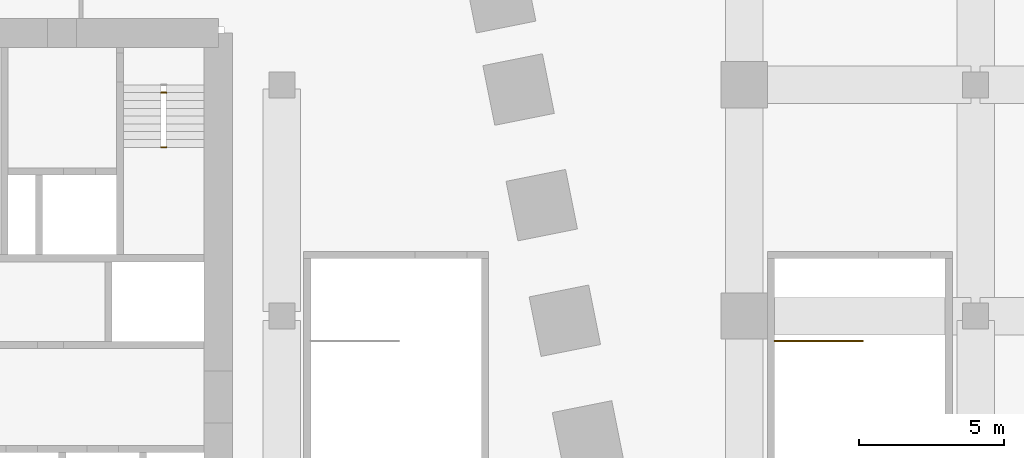
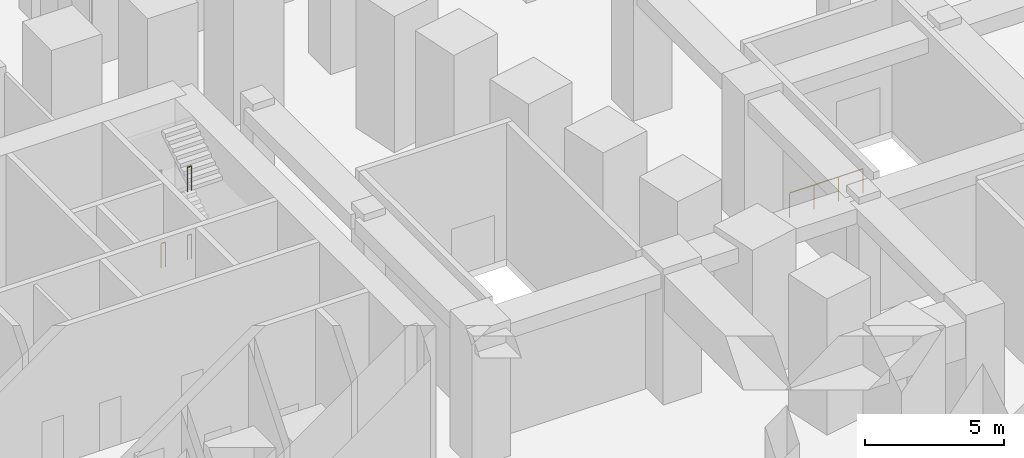
# One storey, part 24 of 28: 4 railings.
"""IFC4 building model written with IfcOpenShell, lengths in metres."""

from ifc_helpers import new_model, si_unit, direction, frame, origin, origin_2d, place, context, subcontext, project, spatial, circle, extrude, material, type_object, element, save


model = new_model("IFC4")

# Units and contexts
model_context = context("Model", 3, precision=1e-05, world=origin(), true_north=direction((0.0, 1.0)))
body_context = subcontext(model_context, "Body", "Model", "MODEL_VIEW")
ifc_project = project(units=[si_unit("LENGTHUNIT", "METRE"), si_unit("AREAUNIT", "SQUARE_METRE"), si_unit("VOLUMEUNIT", "CUBIC_METRE"), si_unit("PLANEANGLEUNIT", "RADIAN"), si_unit("MASSUNIT", "GRAM", prefix="KILO")], contexts=[model_context])

# Site, building, storey
site_placement = place(None, origin())
site = spatial("IfcSite", under=ifc_project, at=site_placement, CompositionType="ELEMENT")
building_placement = place(site_placement, origin())
building = spatial("IfcBuilding", under=site, at=building_placement, Name="Isbrekke Arena Tower", CompositionType="ELEMENT")
storey_placement = place(building_placement, origin())
storey = spatial("IfcBuildingStorey", under=building, at=storey_placement, Name="L00", CompositionType="ELEMENT", Elevation=0.0)

# Railings
ifc_material = material(Name="Steel stair guard, vertical bars, steel handrail", Category="steel")
railing_type = type_object("IfcRailingType", Name="GR3 STAIR WELL GUARD 1100", PredefinedType="GUARDRAIL", material=ifc_material)
for number, where, name in (
    (1, (11.824951171875, 21.72998046875, 0.0), "GR3 stair well guard ST2 L00"),
    (2, (11.824951171875, 19.840087890625, 1.5), "GR3 stair well guard ST2 L00"),
    (3, (11.824951171875, 19.840087890625, 4.5), "GR3 stair well guard ST2 L00"),
):
    element("IfcRailing", number, at=place(storey_placement, frame(where)), inside=storey, type_object=railing_type, Name=name, PredefinedType="GUARDRAIL", context=body_context, shape_type="SweptSolid", body=[
        extrude(circle(Radius=0.02392578125, at=origin_2d()), frame((0.0, 0.0, 1.076171875), z_axis=(1.0, 0.0, 0.0), x_axis=(0.0, 1.0, 0.0)), (0.0, 0.0, 1.0), 0.175048828125),
        extrude(circle(Radius=0.02099609375, at=origin_2d()), origin(), (0.0, 0.0, 1.0), 1.052001953125),
        extrude(circle(Radius=0.02099609375, at=origin_2d()), frame((0.175048828125, 0.0, 0.0)), (0.0, 0.0, 1.0), 1.052001953125),
    ])
railing_placement = place(storey_placement, frame((33.050048828125, 13.139892578125, 0.0)))
element("IfcRailing", 4, at=railing_placement, inside=storey, type_object=railing_type, Name="GR3 stair well guard X7 L00", PredefinedType="GUARDRAIL", context=body_context, shape_type="SweptSolid", body=[
    extrude(circle(Radius=0.02392578125, at=origin_2d()), frame((0.0, 0.0, 1.076171875), z_axis=(1.0, 0.0, 0.0), x_axis=(0.0, 1.0, 0.0)), (0.0, 0.0, 1.0), 3.050048828125),
    extrude(circle(Radius=0.02099609375, at=origin_2d()), origin(), (0.0, 0.0, 1.0), 1.052001953125),
    extrude(circle(Radius=0.02099609375, at=origin_2d()), frame((1.0166015625, 0.0, 0.0)), (0.0, 0.0, 1.0), 1.052001953125),
    extrude(circle(Radius=0.02099609375, at=origin_2d()), frame((2.033447265625, 0.0, 0.0)), (0.0, 0.0, 1.0), 1.052001953125),
    extrude(circle(Radius=0.02099609375, at=origin_2d()), frame((3.050048828125, 0.0, 0.0)), (0.0, 0.0, 1.0), 1.052001953125),
])

save(model, "model.ifc")
